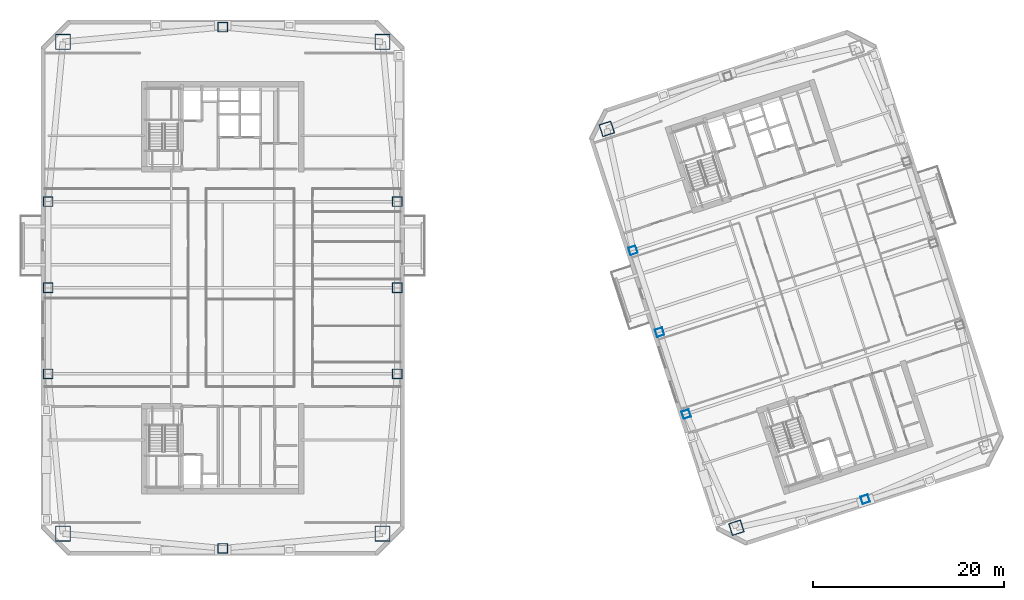
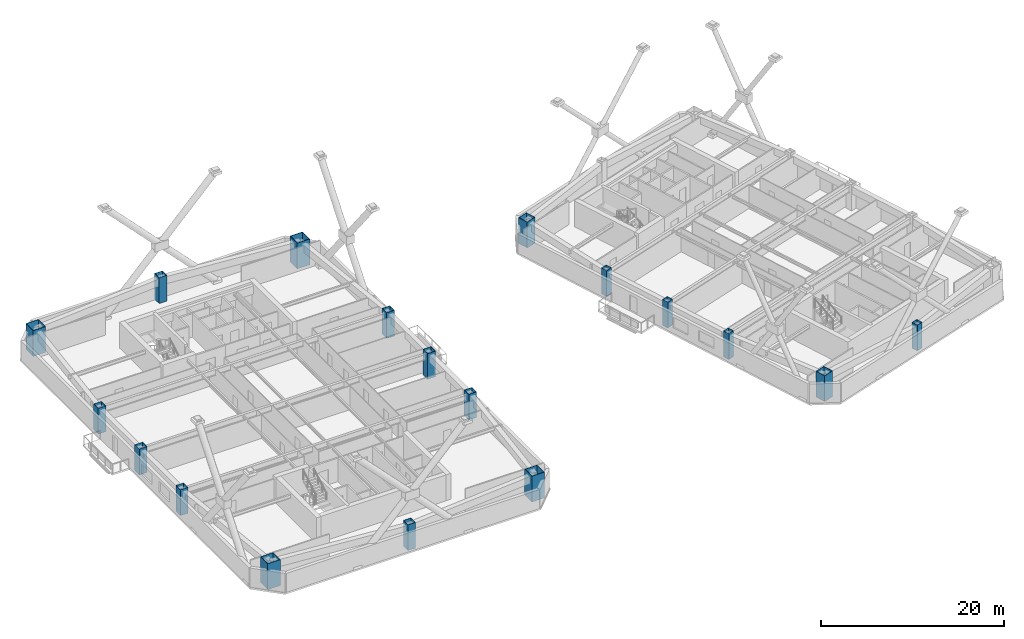
# One storey, part 1 of 17: 18 columns.
"""IFC4 building model written with IfcOpenShell, lengths in metres."""

from ifc_helpers import new_model, si_unit, direction, frame, origin, origin_2d, place, context, subcontext, project, spatial, hollow_rectangle, extrude, material, material_profile, profile_set, type_object, element, save


model = new_model("IFC4")

# Units and contexts
model_context = context("Model", 3, precision=1e-05, world=origin(), true_north=direction((0.0, 1.0)))
body_context = subcontext(model_context, "Body", "Model", "MODEL_VIEW")
ifc_project = project(units=[si_unit("LENGTHUNIT", "METRE"), si_unit("AREAUNIT", "SQUARE_METRE"), si_unit("VOLUMEUNIT", "CUBIC_METRE"), si_unit("PLANEANGLEUNIT", "RADIAN"), si_unit("MASSUNIT", "GRAM", prefix="KILO")], contexts=[model_context])

# Site, building, storey
site_placement = place(None, origin())
site = spatial("IfcSite", under=ifc_project, at=site_placement, CompositionType="ELEMENT")
building_placement = place(site_placement, origin())
building = spatial("IfcBuilding", under=site, at=building_placement, Name="Qiaolan Cultural Towers", CompositionType="ELEMENT")
storey_placement = place(building_placement, frame((0.0, 0.0, 134.550048828125)))
storey = spatial("IfcBuildingStorey", under=building, at=storey_placement, Name="L35", CompositionType="ELEMENT", Elevation=134.550048828125)

# Columns
ifc_material_1 = material(Name="Steel Q355B", Category="steel")
ifc_material_profile_1 = material_profile(ifc_material_1, hollow_rectangle(XDim=1.0, YDim=1.0, WallThickness=0.035888671875, at=origin_2d()), Name="BOX1000x1000x36")
ifc_profile_set_1 = profile_set([ifc_material_profile_1], Name="Steel Q355B")
column_type_1 = type_object("IfcColumnType", Name="COL-BOX1000x1000x36", PredefinedType="COLUMN", material=ifc_profile_set_1)
for number, where, z_axis, x_axis, name in (
    (1, (11.75, 25.0, 0.0), (0.0, 0.0, 1.0), (1.0, 0.0, 0.0), "L35 T1 Perimeter Column PC-W1"),
    (2, (11.75, 34.0, 0.0), (0.0, 0.0, 1.0), (1.0, 0.0, 0.0), "L35 T1 Perimeter Column PC-W2"),
    (3, (11.75, 43.0, 0.0), (0.0, 0.0, 1.0), (1.0, 0.0, 0.0), "L35 T1 Perimeter Column PC-W3"),
    (4, (48.25, 25.0, 0.0), (0.0, 0.0, 1.0), (1.0, 0.0, 0.0), "L35 T1 Perimeter Column PC-E1"),
    (5, (48.25, 34.0, 0.0), (0.0, 0.0, 1.0), (1.0, 0.0, 0.0), "L35 T1 Perimeter Column PC-E2"),
    (6, (48.25, 43.0, 0.0), (0.0, 0.0, 1.0), (1.0, 0.0, 0.0), "L35 T1 Perimeter Column PC-E3"),
    (7, (30.0, 6.75, 0.0), (0.0, 0.0, 1.0), (1.0, 0.0, 0.0), "L35 T1 Perimeter Column PC-S0"),
    (8, (30.0, 61.25, 0.0), (0.0, 0.0, 1.0), (1.0, 0.0, 0.0), "L35 T1 Perimeter Column PC-N0"),
):
    element("IfcColumn", number, at=place(storey_placement, frame(where, z_axis=z_axis, x_axis=x_axis)), inside=storey, type_object=column_type_1, Name=name, PredefinedType="COLUMN", context=body_context, shape_type="SweptSolid", body=[
        extrude(hollow_rectangle(XDim=1.0, YDim=1.0, WallThickness=0.035888671875, at=origin_2d()), origin(), (0.0, 0.0, 1.0), 3.450927734375),
    ])
ifc_material_2 = material(Name="Steel Q390GJB", Category="steel")
ifc_material_profile_2 = material_profile(ifc_material_2, hollow_rectangle(XDim=1.300048828125, YDim=1.300048828125, WallThickness=0.044921875, at=origin_2d()), Name="BOX1300x1300x45")
ifc_profile_set_2 = profile_set([ifc_material_profile_2], Name="Steel Q390GJB")
column_type_2 = type_object("IfcColumnType", Name="COL-BOX1300x1300x45", PredefinedType="COLUMN", material=ifc_profile_set_2)
for number, where, z_axis, x_axis, name in (
    (9, (83.71875, 8.900634765625, 0.0), (0.0, 0.0, 1.0), (0.951056516295, 0.309016994375, 0.0), "L35 T2 Perimeter Column MC-SW"),
    (10, (70.165283203125, 50.61376953125, 0.0), (0.0, 0.0, 1.0), (0.951056516295, 0.309016994375, 0.0), "L35 T2 Perimeter Column MC-NW"),
):
    element("IfcColumn", number, at=place(storey_placement, frame(where, z_axis=z_axis, x_axis=x_axis)), inside=storey, type_object=column_type_2, Name=name, PredefinedType="COLUMN", context=body_context, shape_type="SweptSolid", body=[
        extrude(hollow_rectangle(XDim=1.300048828125, YDim=1.300048828125, WallThickness=0.044921875, at=origin_2d()), origin(), (0.0, 0.0, 1.0), 3.450927734375),
    ])
ifc_material_3 = material(Name="Steel Q420GJB", Category="steel")
ifc_material_profile_3 = material_profile(ifc_material_3, hollow_rectangle(XDim=1.60009765625, YDim=1.60009765625, WallThickness=0.054931640625, at=origin_2d()), Name="BOX1600x1600x55")
ifc_profile_set_3 = profile_set([ifc_material_profile_3], Name="Steel Q420GJB")
column_type_3 = type_object("IfcColumnType", Name="COL-BOX1600x1600x55", PredefinedType="COLUMN", material=ifc_profile_set_3)
for number, where, z_axis, x_axis, name in (
    (11, (13.2900390625, 8.2900390625, 0.0), (0.0, 0.0, 1.0), (1.0, 0.0, 0.0), "L35 T1 Perimeter Column MC-SW"),
    (12, (46.7099609375, 8.2900390625, 0.0), (0.0, 0.0, 1.0), (1.0, 0.0, 0.0), "L35 T1 Perimeter Column MC-SE"),
    (13, (46.7099609375, 59.7099609375, 0.0), (0.0, 0.0, 1.0), (1.0, 0.0, 0.0), "L35 T1 Perimeter Column MC-NE"),
    (14, (13.2900390625, 59.7099609375, 0.0), (0.0, 0.0, 1.0), (1.0, 0.0, 0.0), "L35 T1 Perimeter Column MC-NW"),
):
    element("IfcColumn", number, at=place(storey_placement, frame(where, z_axis=z_axis, x_axis=x_axis)), inside=storey, type_object=column_type_3, Name=name, PredefinedType="COLUMN", context=body_context, shape_type="SweptSolid", body=[
        extrude(hollow_rectangle(XDim=1.60009765625, YDim=1.60009765625, WallThickness=0.054931640625, at=origin_2d()), origin(), (0.0, 0.0, 1.0), 3.450927734375),
    ])
ifc_material_4 = material(Name="Steel Q355B", Category="steel")
ifc_material_profile_4 = material_profile(ifc_material_4, hollow_rectangle(XDim=0.800048828125, YDim=0.800048828125, WallThickness=0.028076171875, at=origin_2d()), Name="BOX800x800x28")
ifc_profile_set_4 = profile_set([ifc_material_profile_4], Name="Steel Q355B")
column_type_4 = type_object("IfcColumnType", Name="COL-BOX800x800x28", PredefinedType="COLUMN", material=ifc_profile_set_4)
for number, where, z_axis, x_axis, name in (
    (15, (78.4677734375, 20.789794921875, 0.0), (0.0, 0.0, 1.0), (0.951056516295, 0.309016994375, 0.0), "L35 T2 Perimeter Column PC-W1"),
    (16, (75.6865234375, 29.349365234375, 0.0), (0.0, 0.0, 1.0), (0.951056516295, 0.309016994375, 0.0), "L35 T2 Perimeter Column PC-W2"),
    (17, (72.905517578125, 37.90869140625, 0.0), (0.0, 0.0, 1.0), (0.951056516295, 0.309016994375, 0.0), "L35 T2 Perimeter Column PC-W3"),
    (18, (97.1845703125, 11.887939453125, 0.0), (0.0, 0.0, 1.0), (0.951056516295, 0.309016994375, 0.0), "L35 T2 Perimeter Column PC-S0"),
):
    element("IfcColumn", number, at=place(storey_placement, frame(where, z_axis=z_axis, x_axis=x_axis)), inside=storey, type_object=column_type_4, Name=name, PredefinedType="COLUMN", context=body_context, shape_type="SweptSolid", body=[
        extrude(hollow_rectangle(XDim=0.800048828125, YDim=0.800048828125, WallThickness=0.028076171875, at=origin_2d()), origin(), (0.0, 0.0, 1.0), 3.450927734375),
    ])

save(model, "model.ifc")
